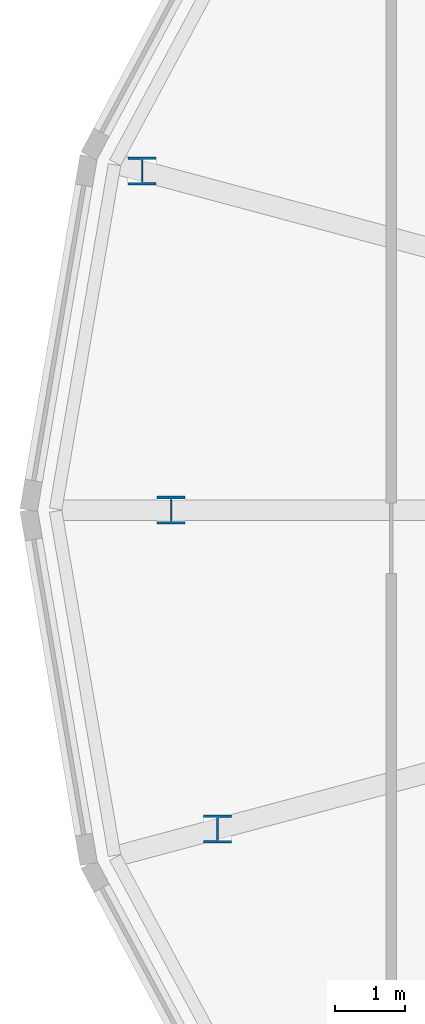
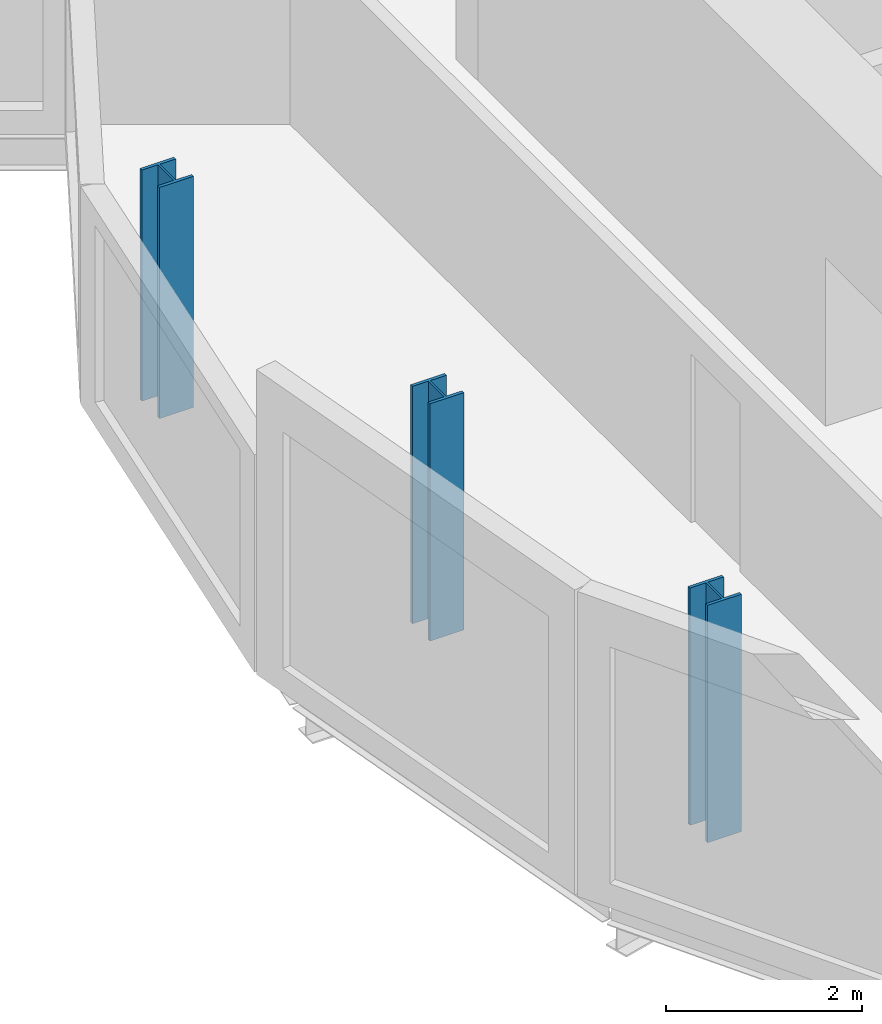
# One storey, part 1 of 38: 3 columns.
"""IFC4 building model written with IfcOpenShell, lengths in metres."""

from ifc_helpers import new_model, si_unit, direction, frame, origin, origin_2d, place, context, subcontext, project, spatial, i_section, extrude, material, material_profile, profile_set, type_object, element, save


model = new_model("IFC4")

# Units and contexts
model_context = context("Model", 3, precision=1e-05, world=origin(), true_north=direction((0.0, 1.0)))
body_context = subcontext(model_context, "Body", "Model", "MODEL_VIEW")
ifc_project = project(units=[si_unit("LENGTHUNIT", "METRE"), si_unit("AREAUNIT", "SQUARE_METRE"), si_unit("VOLUMEUNIT", "CUBIC_METRE"), si_unit("PLANEANGLEUNIT", "RADIAN"), si_unit("MASSUNIT", "GRAM", prefix="KILO")], contexts=[model_context])

# Site, building, storey
site_placement = place(None, origin())
site = spatial("IfcSite", under=ifc_project, at=site_placement, CompositionType="ELEMENT")
building_placement = place(site_placement, origin())
building = spatial("IfcBuilding", under=site, at=building_placement, Name="Rimbun Link Towers", CompositionType="ELEMENT")
storey_placement = place(building_placement, frame((0.0, 0.0, 49.0)))
storey = spatial("IfcBuildingStorey", under=building, at=storey_placement, Name="L11", CompositionType="ELEMENT", Elevation=49.0)

# Columns
ifc_material = material(Name="Steel S355J2", Category="steel")
ifc_material_profile = material_profile(ifc_material, i_section(OverallWidth=0.39892578125, OverallDepth=0.3935546875, WebThickness=0.022705078125, FlangeThickness=0.03662109375, at=origin_2d()), Name="UC 356x406x287")
ifc_profile_set = profile_set([ifc_material_profile], Name="Steel S355J2")
column_type = type_object("IfcColumnType", Name="UC 356x406x287", PredefinedType="COLUMN", material=ifc_profile_set)
column_placement = place(storey_placement, frame((-49.70849609375, 4.81201171875, -0.159912109375), z_axis=(0.0, 0.0, 1.0), x_axis=(1.0, 0.0, 0.0)))
element("IfcColumn", 1, at=column_placement, inside=storey, type_object=column_type, Name="Crease post T1 L11 11", PredefinedType="COLUMN", context=body_context, shape_type="SweptSolid", body=[
    extrude(i_section(OverallWidth=0.39892578125, OverallDepth=0.3935546875, WebThickness=0.022705078125, FlangeThickness=0.03662109375, at=origin_2d()), origin(), (0.0, 0.0, 1.0), 2.881591796875),
])
for number, where, z_axis, x_axis, name in (
    (2, (-49.297607421875, 0.0, -0.159912109375), (0.0, 0.0, 1.0), (1.0, 0.0, 0.0), "Crease post T1 L11 12"),
    (3, (-48.638427734375, -4.525390625, -0.159912109375), (0.0, 0.0, 1.0), (1.0, 0.0, 0.0), "Crease post T1 L11 13"),
):
    element("IfcColumn", number, at=place(storey_placement, frame(where, z_axis=z_axis, x_axis=x_axis)), inside=storey, type_object=column_type, Name=name, PredefinedType="COLUMN", context=body_context, shape_type="SweptSolid", body=[
        extrude(i_section(OverallWidth=0.39892578125, OverallDepth=0.3935546875, WebThickness=0.022705078125, FlangeThickness=0.03662109375, at=origin_2d()), origin(), (0.0, 0.0, 1.0), 2.959228515625),
    ])

save(model, "model.ifc")
